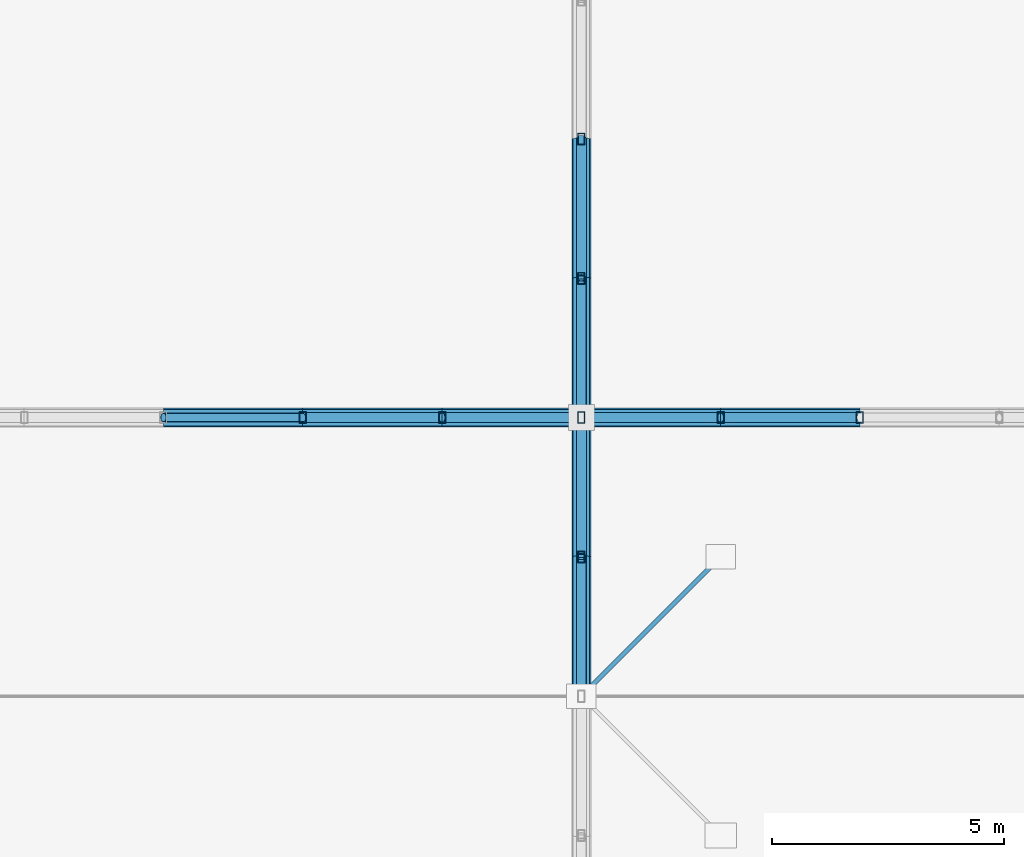
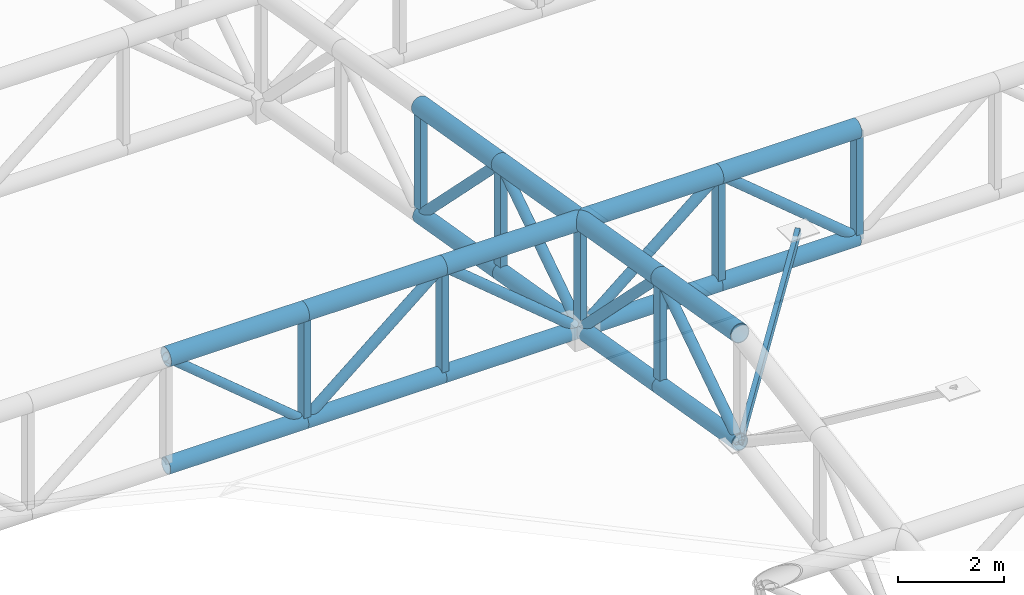
# One storey, part 114 of 239: 36 members.
"""IFC4 building model written with IfcOpenShell, lengths in metres."""

from ifc_helpers import new_model, si_unit, direction, frame, origin, origin_2d, place, context, subcontext, project, spatial, hollow_rectangle, hollow_circle, extrude, material, material_profile, profile_set, type_object, element, save


model = new_model("IFC4")

# Units and contexts
model_context = context("Model", 3, precision=1e-05, world=origin(), true_north=direction((0.0, 1.0)))
body_context = subcontext(model_context, "Body", "Model", "MODEL_VIEW")
ifc_project = project(units=[si_unit("LENGTHUNIT", "METRE"), si_unit("AREAUNIT", "SQUARE_METRE"), si_unit("VOLUMEUNIT", "CUBIC_METRE"), si_unit("PLANEANGLEUNIT", "RADIAN"), si_unit("MASSUNIT", "GRAM", prefix="KILO")], contexts=[model_context])

# Site, building, storey
site_placement = place(None, origin())
site = spatial("IfcSite", under=ifc_project, at=site_placement, CompositionType="ELEMENT")
building_placement = place(site_placement, origin())
building = spatial("IfcBuilding", under=site, at=building_placement, Name="Kaldris Quays Convention Centre", CompositionType="ELEMENT")
storey_placement = place(building_placement, frame((0.0, 0.0, 11.39990234375)))
storey = spatial("IfcBuildingStorey", under=building, at=storey_placement, Name="L02", CompositionType="ELEMENT", Elevation=11.39990234375)

# Members
ifc_material = material(Name="Steel S355J2H", Category="steel")
ifc_material_profile_1 = material_profile(ifc_material, hollow_circle(Radius=0.203125, WallThickness=0.01611328125, at=origin_2d()), Name="CHS 406.4x16")
ifc_profile_set_1 = profile_set([ifc_material_profile_1], Name="Steel S355J2H")
member_type_1 = type_object("IfcMemberType", Name="STRUCTURAL MEMBER SC01", PredefinedType="CHORD", material=ifc_profile_set_1)
for number, where, z_axis, x_axis, name in (
    (1, (83.0, 104.0, 15.84326171875), (1.0, 0.0, 0.0), (0.0, 1.0, 0.0), "SF-V1 Top Chord X 190"),
    (2, (86.0, 104.0, 15.84326171875), (1.0, 0.0, 0.0), (0.0, 1.0, 0.0), "SF-V1 Top Chord X 191"),
    (3, (89.0, 104.0, 15.84326171875), (1.0, 0.0, 0.0), (0.0, 1.0, 0.0), "SF-V1 Top Chord X 192"),
    (4, (92.0, 104.0, 15.84326171875), (1.0, 0.0, 0.0), (0.0, 1.0, 0.0), "SF-V1 Top Chord X 193"),
    (5, (95.0, 104.0, 15.84326171875), (1.0, 0.0, 0.0), (0.0, 1.0, 0.0), "SF-V1 Top Chord X 194"),
):
    element("IfcMember", number, at=place(storey_placement, frame(where, z_axis=z_axis, x_axis=x_axis)), inside=storey, type_object=member_type_1, Name=name, PredefinedType="CHORD", context=body_context, shape_type="SweptSolid", body=[
        extrude(hollow_circle(Radius=0.203125, WallThickness=0.01611328125, at=origin_2d()), origin(), (0.0, 0.0, 1.0), 3.0),
    ])
for number, where, z_axis, x_axis, name in (
    (6, (92.0, 98.0, 16.871826171875), (0.0, 0.98562912375, -0.168923741424), (-1.0, 0.0, 0.0), "SF-V1 Top Chord Y 463"),
    (7, (92.0, 101.0, 16.357666015625), (0.0, 0.985615766076, -0.169001661712), (-1.0, 0.0, 0.0), "SF-V1 Top Chord Y 464"),
    (8, (92.0, 104.0, 15.84326171875), (0.0, 0.98562912375, -0.168923741424), (-1.0, 0.0, 0.0), "SF-V1 Top Chord Y 465"),
    (9, (92.0, 107.0, 15.3291015625), (0.0, 0.985615766076, -0.169001661712), (-1.0, 0.0, 0.0), "SF-V1 Top Chord Y 466"),
):
    element("IfcMember", number, at=place(storey_placement, frame(where, z_axis=z_axis, x_axis=x_axis)), inside=storey, type_object=member_type_1, Name=name, PredefinedType="CHORD", context=body_context, shape_type="SweptSolid", body=[
        extrude(hollow_circle(Radius=0.203125, WallThickness=0.01611328125, at=origin_2d()), origin(), (0.0, 0.0, 1.0), 3.043701171875),
    ])
ifc_material_profile_2 = material_profile(ifc_material, hollow_circle(Radius=0.177734375, WallThickness=0.01611328125, at=origin_2d()), Name="CHS 355.6x16")
ifc_profile_set_2 = profile_set([ifc_material_profile_2], Name="Steel S355J2H")
member_type_2 = type_object("IfcMemberType", Name="STRUCTURAL MEMBER SC02", PredefinedType="CHORD", material=ifc_profile_set_2)
for number, where, z_axis, x_axis, name in (
    (10, (83.0, 104.0, 13.34326171875), (1.0, 0.0, 0.0), (0.0, 1.0, 0.0), "SF-V1 Bottom Chord X 190"),
    (11, (86.0, 104.0, 13.34326171875), (1.0, 0.0, 0.0), (0.0, 1.0, 0.0), "SF-V1 Bottom Chord X 191"),
    (12, (89.0, 104.0, 13.34326171875), (1.0, 0.0, 0.0), (0.0, 1.0, 0.0), "SF-V1 Bottom Chord X 192"),
    (13, (92.0, 104.0, 13.34326171875), (1.0, 0.0, 0.0), (0.0, 1.0, 0.0), "SF-V1 Bottom Chord X 193"),
    (14, (95.0, 104.0, 13.34326171875), (1.0, 0.0, 0.0), (0.0, 1.0, 0.0), "SF-V1 Bottom Chord X 194"),
):
    element("IfcMember", number, at=place(storey_placement, frame(where, z_axis=z_axis, x_axis=x_axis)), inside=storey, type_object=member_type_2, Name=name, PredefinedType="CHORD", context=body_context, shape_type="SweptSolid", body=[
        extrude(hollow_circle(Radius=0.177734375, WallThickness=0.01611328125, at=origin_2d()), origin(), (0.0, 0.0, 1.0), 3.0),
    ])
for number, where, z_axis, x_axis, name in (
    (15, (92.0, 98.0, 14.371826171875), (0.0, 0.98562912375, -0.168923741424), (-1.0, 0.0, 0.0), "SF-V1 Bottom Chord Y 463"),
    (16, (92.0, 101.0, 13.857666015625), (0.0, 0.985615766076, -0.169001661712), (-1.0, 0.0, 0.0), "SF-V1 Bottom Chord Y 464"),
    (17, (92.0, 104.0, 13.34326171875), (0.0, 0.98562912375, -0.168923741424), (-1.0, 0.0, 0.0), "SF-V1 Bottom Chord Y 465"),
    (18, (92.0, 107.0, 12.8291015625), (0.0, 0.985615766076, -0.169001661712), (-1.0, 0.0, 0.0), "SF-V1 Bottom Chord Y 466"),
):
    element("IfcMember", number, at=place(storey_placement, frame(where, z_axis=z_axis, x_axis=x_axis)), inside=storey, type_object=member_type_2, Name=name, PredefinedType="CHORD", context=body_context, shape_type="SweptSolid", body=[
        extrude(hollow_circle(Radius=0.177734375, WallThickness=0.01611328125, at=origin_2d()), origin(), (0.0, 0.0, 1.0), 3.043701171875),
    ])
ifc_material_profile_3 = material_profile(ifc_material, hollow_circle(Radius=0.109619140625, WallThickness=0.010009765625, at=origin_2d()), Name="CHS 219.1x10")
ifc_profile_set_3 = profile_set([ifc_material_profile_3], Name="Steel S355J2H")
member_type_3 = type_object("IfcMemberType", Name="STRUCTURAL MEMBER SWB1", PredefinedType="BRACE", material=ifc_profile_set_3)
for number, where, z_axis, x_axis, name in (
    (19, (86.0, 104.0, 13.34326171875), (0.768221279597, 0.0, 0.640184399664), (0.0, 1.0, 0.0), "SF-V1 Web Diagonal X 191"),
    (20, (92.0, 104.0, 13.34326171875), (-0.768221279597, 0.0, 0.640184399664), (0.0, -1.0, 0.0), "SF-V1 Web Diagonal X 192"),
    (21, (92.0, 104.0, 13.34326171875), (0.768221279597, 0.0, 0.640184399664), (0.0, 1.0, 0.0), "SF-V1 Web Diagonal X 193"),
    (22, (98.0, 104.0, 13.34326171875), (-0.768221279597, 0.0, 0.640184399664), (0.0, -1.0, 0.0), "SF-V1 Web Diagonal X 194"),
):
    element("IfcMember", number, at=place(storey_placement, frame(where, z_axis=z_axis, x_axis=x_axis)), inside=storey, type_object=member_type_3, Name=name, PredefinedType="BRACE", context=body_context, shape_type="SweptSolid", body=[
        extrude(hollow_circle(Radius=0.109619140625, WallThickness=0.010009765625, at=origin_2d()), origin(), (0.0, 0.0, 1.0), 3.905029296875),
    ])
member_1_placement = place(storey_placement, frame((92.0, 98.0, 14.371826171875), z_axis=(0.0, 0.833862389808, 0.551972385962), x_axis=(-1.0, 0.0, 0.0)))
element("IfcMember", 23, at=member_1_placement, inside=storey, type_object=member_type_3, Name="SF-V1 Web Diagonal Y 463", PredefinedType="BRACE", context=body_context, shape_type="SweptSolid", body=[
    extrude(hollow_circle(Radius=0.109619140625, WallThickness=0.010009765625, at=origin_2d()), origin(), (0.0, 0.0, 1.0), 3.59765625),
])
member_2_placement = place(storey_placement, frame((92.0, 104.0, 13.34326171875), z_axis=(0.0, -0.705411261057, 0.708798245465), x_axis=(1.0, 0.0, 0.0)))
element("IfcMember", 24, at=member_2_placement, inside=storey, type_object=member_type_3, Name="SF-V1 Web Diagonal Y 464", PredefinedType="BRACE", context=body_context, shape_type="SweptSolid", body=[
    extrude(hollow_circle(Radius=0.109619140625, WallThickness=0.010009765625, at=origin_2d()), origin(), (0.0, 0.0, 1.0), 4.2529296875),
])
member_3_placement = place(storey_placement, frame((92.0, 104.0, 13.34326171875), z_axis=(0.0, 0.833862389808, 0.551972385962), x_axis=(-1.0, 0.0, 0.0)))
element("IfcMember", 25, at=member_3_placement, inside=storey, type_object=member_type_3, Name="SF-V1 Web Diagonal Y 465", PredefinedType="BRACE", context=body_context, shape_type="SweptSolid", body=[
    extrude(hollow_circle(Radius=0.109619140625, WallThickness=0.010009765625, at=origin_2d()), origin(), (0.0, 0.0, 1.0), 3.59765625),
])
member_4_placement = place(storey_placement, frame((92.0, 110.0, 12.314697265625), z_axis=(0.0, -0.705411261057, 0.708798245465), x_axis=(1.0, 0.0, 0.0)))
element("IfcMember", 26, at=member_4_placement, inside=storey, type_object=member_type_3, Name="SF-V1 Web Diagonal Y 466", PredefinedType="BRACE", context=body_context, shape_type="SweptSolid", body=[
    extrude(hollow_circle(Radius=0.109619140625, WallThickness=0.010009765625, at=origin_2d()), origin(), (0.0, 0.0, 1.0), 4.2529296875),
])
ifc_material_profile_4 = material_profile(ifc_material, hollow_circle(Radius=0.096923828125, WallThickness=0.008056640625, at=origin_2d()), Name="CHS 193.7x8")
ifc_profile_set_4 = profile_set([ifc_material_profile_4], Name="Steel S355J2H")
member_type_4 = type_object("IfcMemberType", Name="STRUCTURAL MEMBER SWB3", PredefinedType="BRACE", material=ifc_profile_set_4)
member_5_placement = place(storey_placement, frame((86.0, 104.0, 13.34326171875), z_axis=(-0.768221279597, 0.0, 0.640184399664), x_axis=(0.0, -1.0, 0.0)))
element("IfcMember", 27, at=member_5_placement, inside=storey, type_object=member_type_4, Name="SF-V1 Web Diagonal X 190", PredefinedType="BRACE", context=body_context, shape_type="SweptSolid", body=[
    extrude(hollow_circle(Radius=0.096923828125, WallThickness=0.008056640625, at=origin_2d()), origin(), (0.0, 0.0, 1.0), 3.905029296875),
])
ifc_material_profile_5 = material_profile(ifc_material, hollow_rectangle(XDim=0.14990234375, YDim=0.25, WallThickness=0.010009765625, at=origin_2d()), Name="RHS 250x150x10")
ifc_profile_set_5 = profile_set([ifc_material_profile_5], Name="Steel S355J2H")
member_type_5 = type_object("IfcMemberType", Name="STRUCTURAL MEMBER TTV1", PredefinedType="POST", material=ifc_profile_set_5)
for number, where, z_axis, x_axis, name in (
    (28, (86.0, 104.0, 13.34326171875), (0.0, 0.0, 1.0), (1.0, 0.0, 0.0), "SF-V1 Space-Frame Post 265"),
    (29, (89.0, 104.0, 13.34326171875), (0.0, 0.0, 1.0), (1.0, 0.0, 0.0), "SF-V1 Space-Frame Post 273"),
    (30, (92.0, 101.0, 13.857666015625), (0.0, 0.0, 1.0), (1.0, 0.0, 0.0), "SF-V1 Space-Frame Post 292"),
    (31, (92.0, 104.0, 13.34326171875), (0.0, 0.0, 1.0), (1.0, 0.0, 0.0), "SF-V1 Space-Frame Post 293"),
    (32, (92.0, 107.0, 12.8291015625), (0.0, 0.0, 1.0), (1.0, 0.0, 0.0), "SF-V1 Space-Frame Post 294"),
    (33, (92.0, 110.0, 12.314697265625), (0.0, 0.0, 1.0), (1.0, 0.0, 0.0), "SF-V1 Space-Frame Post 295"),
    (34, (95.0, 104.0, 13.34326171875), (0.0, 0.0, 1.0), (1.0, 0.0, 0.0), "SF-V1 Space-Frame Post 310"),
    (35, (98.0, 104.0, 13.34326171875), (0.0, 0.0, 1.0), (1.0, 0.0, 0.0), "SF-V1 Space-Frame Post 318"),
):
    element("IfcMember", number, at=place(storey_placement, frame(where, z_axis=z_axis, x_axis=x_axis)), inside=storey, type_object=member_type_5, Name=name, PredefinedType="POST", context=body_context, shape_type="SweptSolid", body=[
        extrude(hollow_rectangle(XDim=0.14990234375, YDim=0.25, WallThickness=0.010009765625, at=origin_2d()), origin(), (0.0, 0.0, 1.0), 2.5),
    ])
ifc_material_profile_6 = material_profile(ifc_material, hollow_rectangle(XDim=0.10009765625, YDim=0.199951171875, WallThickness=0.008056640625, at=origin_2d()), Name="RHS 200x100x8")
ifc_profile_set_6 = profile_set([ifc_material_profile_6], Name="Steel S355J2H")
member_type_6 = type_object("IfcMemberType", Name="STRUCTURAL MEMBER WS01", PredefinedType="STRUT", material=ifc_profile_set_6)
member_6_placement = place(storey_placement, frame((92.0, 98.0, 14.371826171875), z_axis=(0.640424167839, 0.640424167839, 0.423926609798), x_axis=(-0.707106781187, 0.707106781187, 0.0)))
element("IfcMember", 36, at=member_6_placement, inside=storey, type_object=member_type_6, Name="SF-V1 Interior Space-Frame Plan Diagonal Strut 7", PredefinedType="STRUT", context=body_context, shape_type="SweptSolid", body=[
    extrude(hollow_rectangle(XDim=0.10009765625, YDim=0.199951171875, WallThickness=0.008056640625, at=origin_2d()), origin(), (0.0, 0.0, 1.0), 4.684326171875),
])

save(model, "model.ifc")
